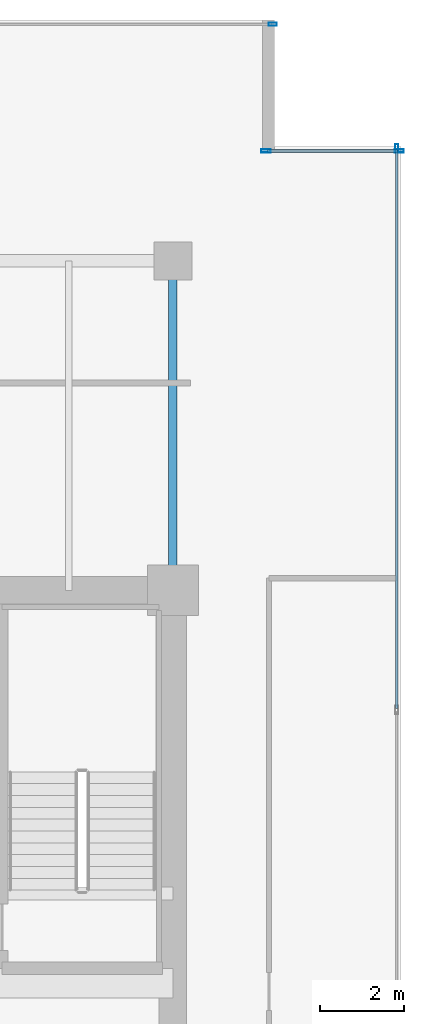
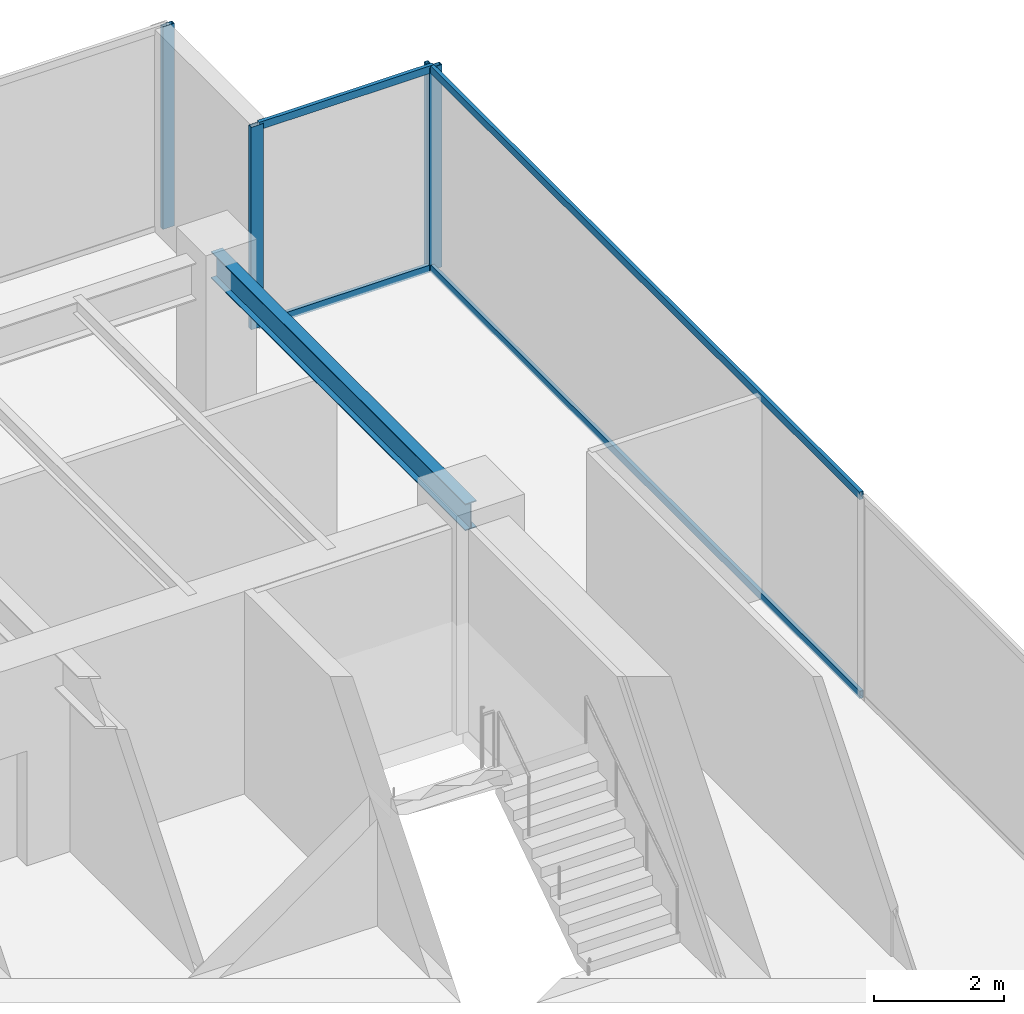
# One storey, part 23 of 30: 8 members, 1 beam, 3 elements without a shape of their own.
"""IFC4 building model written with IfcOpenShell, lengths in metres."""

from ifc_helpers import new_model, si_unit, direction, frame, origin, origin_2d, place, context, subcontext, project, spatial, hollow_rectangle, i_section, extrude, source, transform, mapped, material, layer, layer_set, material_profile, profile_set, type_object, type_shapes, element, aggregate, save


model = new_model("IFC4")

# Units and contexts
model_context = context("Model", 3, precision=1e-05, world=origin(), true_north=direction((0.0, 1.0)))
body_context = subcontext(model_context, "Body", "Model", "MODEL_VIEW")
ifc_project = project(units=[si_unit("LENGTHUNIT", "METRE"), si_unit("AREAUNIT", "SQUARE_METRE"), si_unit("VOLUMEUNIT", "CUBIC_METRE"), si_unit("PLANEANGLEUNIT", "RADIAN"), si_unit("MASSUNIT", "GRAM", prefix="KILO")], contexts=[model_context])

# Site, building, storey
site_placement = place(None, origin())
site = spatial("IfcSite", under=ifc_project, at=site_placement, CompositionType="ELEMENT")
building_placement = place(site_placement, origin())
building = spatial("IfcBuilding", under=site, at=building_placement, Name="Haelvirn Gate Laboratories", CompositionType="ELEMENT")
storey_placement = place(building_placement, frame((0.0, 0.0, 125.60009765625)))
storey = spatial("IfcBuildingStorey", under=building, at=storey_placement, Name="L30", CompositionType="ELEMENT", Elevation=125.60009765625)

# Beam
ifc_material_1 = material(Name="Steel SM355", Category="steel")
ifc_material_profile_1 = material_profile(ifc_material_1, i_section(OverallWidth=0.199951171875, OverallDepth=0.5, WebThickness=0.010009765625, FlangeThickness=0.01611328125, at=origin_2d()), Name="H-500x200x10x16")
ifc_profile_set_1 = profile_set([ifc_material_profile_1], Name="Steel SM355")
beam_type = type_object("IfcBeamType", Name="BM-SP-500", PredefinedType="SPANDREL", material=ifc_profile_set_1)
shared_shape_1 = source(origin(), body_context, "Body", "SweptSolid", [
    extrude(i_section(OverallWidth=0.199951171875, OverallDepth=0.5, WebThickness=0.010009765625, FlangeThickness=0.01611328125, at=origin_2d()), origin(), (0.0, 0.0, 1.0), 7.800048828125),
])
type_shapes(beam_type, [shared_shape_1])
beam_placement = place(storey_placement, frame((67.39990234375, 33.800048828125, 3.539794921875), z_axis=(0.0, 1.0, 0.0), x_axis=(-1.0, 0.0, 0.0)))
element("IfcBeam", 1, at=beam_placement, inside=storey, type_object=beam_type, Name="L30 Perimeter Spandrel X67.4 (33.8-41.6)", PredefinedType="SPANDREL", context=body_context, shape_type="MappedRepresentation", body=[
    mapped(shared_shape_1, transform((0.0, 0.0, 0.0), scale=1.0)),
])

# Curtain wall, members
ifc_material_2 = material(Name="Anodised bronze unitised aluminium & triple low-E glass", Category="aluminium")
ifc_layer_1 = layer(ifc_material_2, 0.181884765625, Name="CW-SYS-5")
ifc_layer_set_1 = layer_set([ifc_layer_1], Name="Anodised bronze unitised aluminium & triple low-E glass")
curtain_wall_type_1 = type_object("IfcCurtainWallType", Name="CW-SYS-5", PredefinedType="NOTDEFINED", material=ifc_layer_set_1)
curtain_wall_1_placement = place(storey_placement, origin())
curtain_wall_1 = element("IfcCurtainWall", 2, at=curtain_wall_1_placement, inside=storey, type_object=curtain_wall_type_1, Name="L30 Unitised Curtain Wall CW-L30-P0-E08-1", PredefinedType="NOTDEFINED")
ifc_material_3 = material(Name="Extruded aluminium 6063-T6 (anodised bronze)", Category="aluminium")
ifc_material_profile_2 = material_profile(ifc_material_3, hollow_rectangle(XDim=0.06494140625, YDim=0.139892578125, WallThickness=0.00390625, at=origin_2d()), Name="CWT-140x65x4")
ifc_profile_set_2 = profile_set([ifc_material_profile_2], Name="Extruded aluminium 6063-T6 (anodised bronze)")
member_type_1 = type_object("IfcMemberType", Name="CWT-T140", PredefinedType="USERDEFINED", material=ifc_profile_set_2)
shared_shape_2 = source(origin(), body_context, "Body", "SweptSolid", [
    extrude(hollow_rectangle(XDim=0.06494140625, YDim=0.139892578125, WallThickness=0.00390625, at=origin_2d()), origin(), (0.0, 0.0, 1.0), 3.080078125),
])
member_1_placement = place(storey_placement, frame((69.639892578125, 44.199951171875, 0.032470703125), z_axis=(1.0, 0.0, 0.0), x_axis=(0.0, 1.0, 0.0)))
member_1 = element("IfcMember", 3, at=member_1_placement, type_object=member_type_1, Name="CW5 transom 1.1", ObjectType="TRANSOM", PredefinedType="USERDEFINED", context=body_context, shape_type="MappedRepresentation", body=[
    mapped(shared_shape_2, transform((0.0, 0.0, 0.0), scale=1.0)),
])
member_2_placement = place(storey_placement, frame((69.639892578125, 44.199951171875, 3.75732421875), z_axis=(1.0, 0.0, 0.0), x_axis=(0.0, 1.0, 0.0)))
member_2 = element("IfcMember", 4, at=member_2_placement, type_object=member_type_1, Name="CW5 transom 1.2", ObjectType="TRANSOM", PredefinedType="USERDEFINED", context=body_context, shape_type="MappedRepresentation", body=[
    mapped(shared_shape_2, transform((0.0, 0.0, 0.0), scale=1.0)),
])

ifc_layer_2 = layer(ifc_material_2, 0.179931640625, Name="CW-SYS-3")
ifc_layer_set_2 = layer_set([ifc_layer_2], Name="Anodised bronze unitised aluminium & triple low-E glass")
curtain_wall_type_2 = type_object("IfcCurtainWallType", Name="CW-SYS-3", PredefinedType="NOTDEFINED", material=ifc_layer_set_2)
curtain_wall_2_placement = place(storey_placement, origin())
curtain_wall_2 = element("IfcCurtainWall", 5, at=curtain_wall_2_placement, inside=storey, type_object=curtain_wall_type_2, Name="L30 Unitised Curtain Wall CW-L30-P0-E07", PredefinedType="NOTDEFINED")
shared_shape_3 = source(origin(), body_context, "Body", "SweptSolid", [
    extrude(hollow_rectangle(XDim=0.06494140625, YDim=0.139892578125, WallThickness=0.00390625, at=origin_2d()), origin(), (0.0, 0.0, 1.0), 13.220947265625),
])
type_shapes(member_type_1, [shared_shape_2, shared_shape_3])
member_3_placement = place(storey_placement, frame((72.699951171875, 31.004150390625, 0.032470703125), z_axis=(0.0, 1.0, 0.0), x_axis=(-1.0, 0.0, 0.0)))
member_3 = element("IfcMember", 6, at=member_3_placement, type_object=member_type_1, Name="CW3 transom 3.1", ObjectType="TRANSOM", PredefinedType="USERDEFINED", context=body_context, shape_type="MappedRepresentation", body=[
    mapped(shared_shape_3, transform((0.0, 0.0, 0.0), scale=1.0)),
])
member_4_placement = place(storey_placement, frame((72.699951171875, 31.004150390625, 3.75732421875), z_axis=(0.0, 1.0, 0.0), x_axis=(-1.0, 0.0, 0.0)))
member_4 = element("IfcMember", 7, at=member_4_placement, type_object=member_type_1, Name="CW3 transom 3.2", ObjectType="TRANSOM", PredefinedType="USERDEFINED", context=body_context, shape_type="MappedRepresentation", body=[
    mapped(shared_shape_3, transform((0.0, 0.0, 0.0), scale=1.0)),
])
ifc_material_profile_3 = material_profile(ifc_material_3, hollow_rectangle(XDim=0.074951171875, YDim=0.199951171875, WallThickness=0.0048828125, at=origin_2d()), Name="CWM-200x75x5")
ifc_profile_set_3 = profile_set([ifc_material_profile_3], Name="Extruded aluminium 6063-T6 (anodised bronze)")
member_type_2 = type_object("IfcMemberType", Name="CWM-T200", PredefinedType="MULLION", material=ifc_profile_set_3)
shared_shape_4 = source(origin(), body_context, "Body", "SweptSolid", [
    extrude(hollow_rectangle(XDim=0.074951171875, YDim=0.199951171875, WallThickness=0.0048828125, at=origin_2d()), origin(), (0.0, 0.0, 1.0), 3.789794921875),
])
type_shapes(member_type_2, [shared_shape_4])
member_5_placement = place(storey_placement, frame((72.699951171875, 44.262451171875, 0.0), z_axis=(0.0, 0.0, 1.0), x_axis=(-1.0, 0.0, 0.0)))
member_5 = element("IfcMember", 8, at=member_5_placement, type_object=member_type_2, Name="CW3 mullion 4", PredefinedType="MULLION", context=body_context, shape_type="MappedRepresentation", body=[
    mapped(shared_shape_4, transform((0.0, 0.0, 0.0), scale=1.0)),
])
aggregate(curtain_wall_2, [member_5, member_3, member_4])

# Curtain wall, member
curtain_wall_3_placement = place(storey_placement, origin())
curtain_wall_3 = element("IfcCurtainWall", 9, at=curtain_wall_3_placement, inside=storey, type_object=curtain_wall_type_2, Name="L30 Unitised Curtain Wall CW-L30-P0-E10-1", PredefinedType="NOTDEFINED")
member_6_placement = place(storey_placement, frame((69.762451171875, 47.199951171875, 0.0), z_axis=(0.0, 0.0, 1.0), x_axis=(0.0, 1.0, 0.0)))
member_6 = element("IfcMember", 10, at=member_6_placement, type_object=member_type_2, Name="CW3 mullion 3", PredefinedType="MULLION", context=body_context, shape_type="MappedRepresentation", body=[
    mapped(shared_shape_4, transform((0.0, 0.0, 0.0), scale=1.0)),
])
aggregate(curtain_wall_3, [member_6])

# Member
ifc_material_profile_4 = material_profile(ifc_material_3, hollow_rectangle(XDim=0.080078125, YDim=0.219970703125, WallThickness=0.006103515625, at=origin_2d()), Name="CWM-220x80x6")
ifc_profile_set_4 = profile_set([ifc_material_profile_4], Name="Extruded aluminium 6063-T6 (anodised bronze)")
member_type_3 = type_object("IfcMemberType", Name="CWM-T220", PredefinedType="MULLION", material=ifc_profile_set_4)
shared_shape_5 = source(origin(), body_context, "Body", "SweptSolid", [
    extrude(hollow_rectangle(XDim=0.080078125, YDim=0.219970703125, WallThickness=0.006103515625, at=origin_2d()), origin(), (0.0, 0.0, 1.0), 3.789794921875),
])
type_shapes(member_type_3, [shared_shape_5])
member_7_placement = place(storey_placement, frame((69.60009765625, 44.199951171875, 0.0), z_axis=(0.0, 0.0, 1.0), x_axis=(0.0, 1.0, 0.0)))
member_7 = element("IfcMember", 11, at=member_7_placement, type_object=member_type_3, Name="CW5 mullion 1", PredefinedType="MULLION", context=body_context, shape_type="MappedRepresentation", body=[
    mapped(shared_shape_5, transform((0.0, 0.0, 0.0), scale=1.0)),
])

member_8_placement = place(storey_placement, frame((72.760009765625, 44.199951171875, 0.0), z_axis=(0.0, 0.0, 1.0), x_axis=(0.0, 1.0, 0.0)))
member_8 = element("IfcMember", 12, at=member_8_placement, type_object=member_type_3, Name="CW5 mullion 2", PredefinedType="MULLION", context=body_context, shape_type="MappedRepresentation", body=[
    mapped(shared_shape_5, transform((0.0, 0.0, 0.0), scale=1.0)),
])

aggregate(curtain_wall_1, [member_7, member_8, member_1, member_2])

save(model, "model.ifc")
